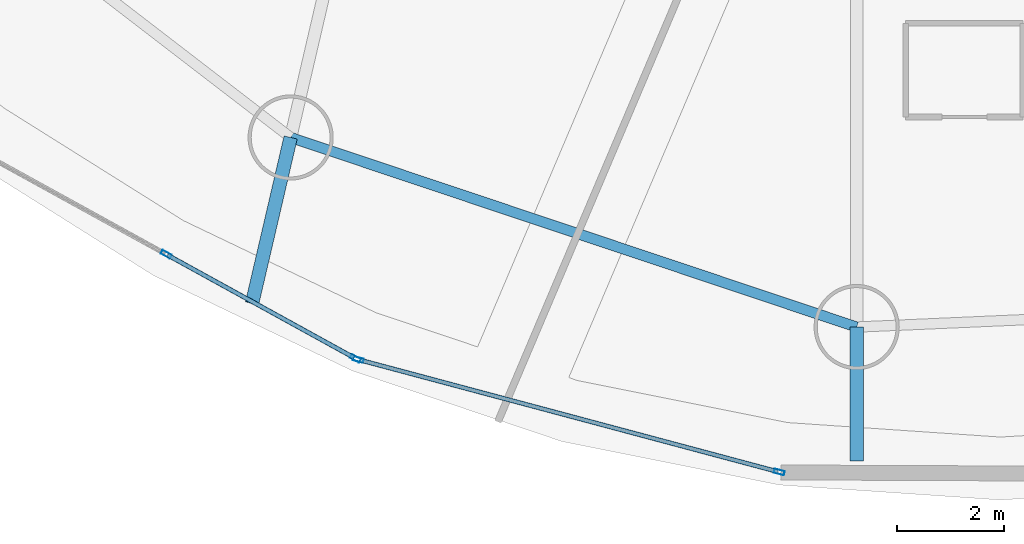
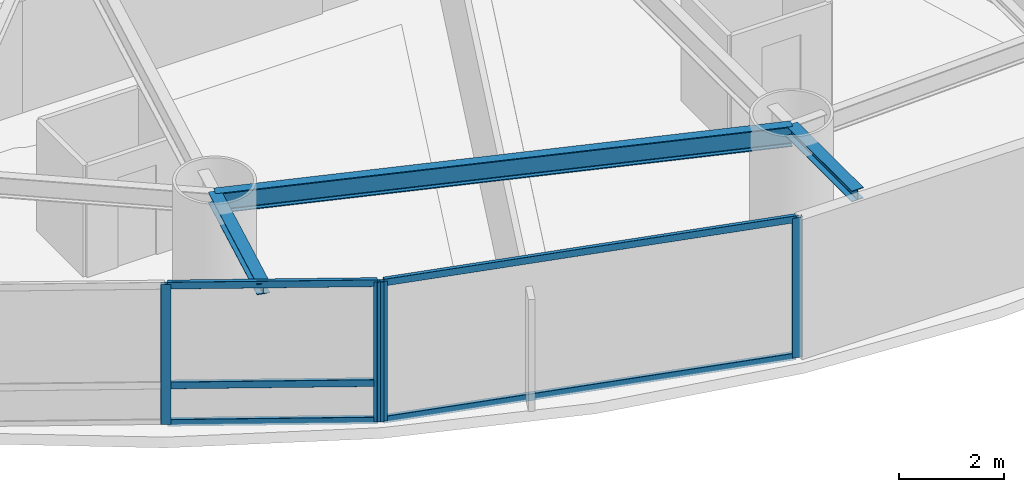
# One storey, part 3 of 23: 9 members, 3 beams, 2 elements without a shape of their own.
"""IFC4 building model written with IfcOpenShell, lengths in metres."""

import ifcopenshell
import ifcopenshell.guid

model = None  # the IFC model being written
_history = None  # IfcOwnerHistory: only IFC2X3 demands one
_inside = {}  # id of a spatial element -> (the spatial element, [elements in it])
_under = {}  # id of a project, library or spatial element -> (it, [spatial elements below it])
_declared = {}  # id of a project -> (the project, [libraries it declares])
_typed = {}  # id of a type object -> (the type object, [elements of that type])
_made_of = {}  # id of a material, layer set ... -> (it, [elements and type objects made of it])


def new_model(schema):
    """Start an empty IFC model of exactly this schema.

    Asked for "IFC4X3", IfcOpenShell would pick the latest addendum, in which some entities
    have other attributes; the version numbers below select the first issue.
    IFC2X3 requires an IfcOwnerHistory on every rooted entity: one is made here for all.
    """
    global model, _history
    if schema == "IFC4X3":
        model = ifcopenshell.file(schema_version=(4, 3, 0, 0))
    else:
        model = ifcopenshell.file(schema=schema)
    _inside.clear()
    _under.clear()
    _declared.clear()
    _typed.clear()
    _made_of.clear()
    _history = None
    if model.schema == "IFC2X3":
        org = make("IfcOrganization", Name="unknown")
        user = make(
            "IfcPersonAndOrganization",
            ThePerson=make("IfcPerson", FamilyName="unknown"),
            TheOrganization=org,
        )
        app = make(
            "IfcApplication",
            ApplicationDeveloper=org,
            Version="unknown",
            ApplicationFullName="unknown",
            ApplicationIdentifier="unknown",
        )
        _history = make(
            "IfcOwnerHistory",
            OwningUser=user,
            OwningApplication=app,
            ChangeAction="ADDED",
            CreationDate=0,
        )
    return model


def make(cls, **values):
    """One entity of the class cls with the attributes given. An attribute that is None is left unset."""
    return model.create_entity(
        cls, **{name: value for name, value in values.items() if value is not None}
    )


def rooted(cls, **values):
    """An entity with a GlobalId (a new one), such as an element, a storey or a relation."""
    return make(cls, GlobalId=ifcopenshell.guid.new(), OwnerHistory=_history, **values)


def si_unit(unit_type, name, prefix=None):
    """IfcSIUnit, for example si_unit("LENGTHUNIT", "METRE", prefix="MILLI")."""
    return make("IfcSIUnit", UnitType=unit_type, Prefix=prefix, Name=name)


def assignment(units):
    """IfcUnitAssignment: the units of a project."""
    return None if units is None else make("IfcUnitAssignment", Units=units)


def point(xyz):
    """IfcCartesianPoint."""
    return None if xyz is None else make("IfcCartesianPoint", Coordinates=xyz)


def direction(xyz):
    """IfcDirection."""
    return None if xyz is None else make("IfcDirection", DirectionRatios=xyz)


def frame(location, z_axis=None, x_axis=None):
    """IfcAxis2Placement3D, a coordinate frame: its origin and axes. An axis left out is left unset."""
    return make(
        "IfcAxis2Placement3D",
        Location=point(location),
        Axis=direction(z_axis),
        RefDirection=direction(x_axis),
    )


def frame_2d(location, x_axis=None):
    """IfcAxis2Placement2D, a coordinate frame in the plane: its origin and x axis."""
    return make(
        "IfcAxis2Placement2D", Location=point(location), RefDirection=direction(x_axis)
    )


def origin():
    """The frame at (0, 0, 0) with its axes left unset."""
    return frame((0.0, 0.0, 0.0))


def origin_2d():
    """The frame at (0, 0) in the plane with its x axis left unset."""
    return frame_2d((0.0, 0.0))


def place(relative_to, where):
    """IfcLocalPlacement: puts the frame where relative to a parent placement (None: the world)."""
    return make(
        "IfcLocalPlacement", PlacementRelTo=relative_to, RelativePlacement=where
    )


def context(
    kind, dimensions, precision=None, world=None, true_north=None, identifier=None
):
    """IfcGeometricRepresentationContext, for example the 3D "Model" context."""
    return make(
        "IfcGeometricRepresentationContext",
        ContextIdentifier=identifier,
        ContextType=kind,
        CoordinateSpaceDimension=dimensions,
        Precision=precision,
        WorldCoordinateSystem=world,
        TrueNorth=true_north,
    )


def subcontext(parent, identifier, kind, view, scale=None):
    """IfcGeometricRepresentationSubContext, for example "Body" below "Model"."""
    return make(
        "IfcGeometricRepresentationSubContext",
        ContextIdentifier=identifier,
        ContextType=kind,
        ParentContext=parent,
        TargetScale=scale,
        TargetView=view,
    )


def project(units=None, contexts=None):
    """IfcProject with its units and contexts."""
    return rooted(
        "IfcProject",
        Name="project",
        RepresentationContexts=contexts,
        UnitsInContext=assignment(units),
    )


def spatial(cls, under=None, at=None, **own):
    """A site, building, storey or space (cls), placed at a placement, below another one or the project."""
    s = rooted(cls, ObjectPlacement=at, **own)
    if under is not None:
        _under.setdefault(under.id(), (under, []))[1].append(s)
    return s


def profile(cls, at=None, kind="AREA", **sizes):
    """A parametric profile (cls). Its sizes go by their IFC names, for example OverallWidth=200.0."""
    return make(cls, ProfileType=kind, Position=at, **sizes)


def hollow_rectangle(**sizes):
    """IfcRectangleHollowProfileDef."""
    return profile("IfcRectangleHollowProfileDef", **sizes)


def i_section(**sizes):
    """IfcIShapeProfileDef."""
    return profile("IfcIShapeProfileDef", **sizes)


def extrude(swept, where, along, depth):
    """IfcExtrudedAreaSolid: the profile swept, set in the frame where, extruded along a direction by depth."""
    return make(
        "IfcExtrudedAreaSolid",
        SweptArea=swept,
        Position=where,
        ExtrudedDirection=direction(along),
        Depth=depth,
    )


def shape(context_of_items, identifier, shape_type, items):
    """IfcShapeRepresentation: the items that make up one representation, for example the "Body"."""
    return make(
        "IfcShapeRepresentation",
        ContextOfItems=context_of_items,
        RepresentationIdentifier=identifier,
        RepresentationType=shape_type,
        Items=items,
    )


def material(Name=None, Category=None):
    """IfcMaterial."""
    return make("IfcMaterial", Name=Name, Category=Category)


def layer(
    of_material, thickness, ventilated=None, Name=None, Category=None, Priority=None
):
    """IfcMaterialLayer: one layer of a wall or slab, of a material (None: an air gap)."""
    return make(
        "IfcMaterialLayer",
        Material=of_material,
        LayerThickness=thickness,
        IsVentilated=ventilated,
        Name=Name,
        Category=Category,
        Priority=Priority,
    )


def layer_set(layers, Name=None):
    """IfcMaterialLayerSet."""
    return make("IfcMaterialLayerSet", MaterialLayers=layers, LayerSetName=Name)


def material_profile(
    of_material, cross_section, Name=None, Category=None, Priority=None
):
    """IfcMaterialProfile: a cross section and its material."""
    return make(
        "IfcMaterialProfile",
        Name=Name,
        Material=of_material,
        Profile=cross_section,
        Priority=Priority,
        Category=Category,
    )


def profile_set(profiles, Name=None, composite=None):
    """IfcMaterialProfileSet."""
    return make(
        "IfcMaterialProfileSet",
        Name=Name,
        MaterialProfiles=profiles,
        CompositeProfile=composite,
    )


def made_of(thing, what):
    """Note that an element or type object is made of a material, layer set ...; save() writes the relation."""
    if what is not None:
        _made_of.setdefault(what.id(), (what, []))[1].append(thing)
    return thing


def type_object(cls, material=None, **own):
    """A type object (cls), such as IfcWallType, which elements share."""
    return made_of(rooted(cls, **own), material)


def element(
    cls,
    number,
    at=None,
    inside=None,
    cuts=None,
    type_object=None,
    material=None,
    context=None,
    identifier="Body",
    shape_type=None,
    held_by="IfcProductDefinitionShape",
    body=None,
    shapes=None,
    **own,
):
    """One element of the class cls, such as IfcWall. Its Tag is "e" and its number.

    at: its placement. inside: the storey or other place that contains it. cuts: it is an
    opening in that element (IfcRelVoidsElement). A single representation is given by context,
    identifier, shape_type and body (its items); several are given by shapes. held_by: the class
    of the entity that holds the representations. save() writes the other relations.
    """
    e = rooted(cls, Tag="e%d" % number, ObjectPlacement=at, **own)
    if body is not None:
        shapes = [shape(context, identifier, shape_type, body)]
    if shapes is not None:
        e.Representation = make(held_by, Representations=shapes)
    if inside is not None:
        _inside.setdefault(inside.id(), (inside, []))[1].append(e)
    if cuts is not None:
        rooted(
            "IfcRelVoidsElement", RelatingBuildingElement=cuts, RelatedOpeningElement=e
        )
    if type_object is not None:
        _typed.setdefault(type_object.id(), (type_object, []))[1].append(e)
    return made_of(e, material)


def aggregate(whole, parts):
    """IfcRelAggregates: a whole, such as a stair, and the parts it consists of."""
    return rooted("IfcRelAggregates", RelatingObject=whole, RelatedObjects=parts)


def save(model, path):
    """Write the relations noted so far, then the file.

    IfcRelAggregates (storeys below a building ...), IfcRelContainedInSpatialStructure (elements
    in a storey), IfcRelDefinesByType, IfcRelAssociatesMaterial and IfcRelDeclares: one each for
    every whole, place, type object, material and project.
    """
    for whole, parts in _under.values():
        aggregate(whole, parts)
    for where, things in _inside.values():
        rooted(
            "IfcRelContainedInSpatialStructure",
            RelatedElements=things,
            RelatingStructure=where,
        )
    for kind, things in _typed.values():
        rooted("IfcRelDefinesByType", RelatedObjects=things, RelatingType=kind)
    for what, things in _made_of.values():
        rooted("IfcRelAssociatesMaterial", RelatedObjects=things, RelatingMaterial=what)
    for by, libraries in _declared.values():
        rooted("IfcRelDeclares", RelatingContext=by, RelatedDefinitions=libraries)
    model.write(path)


model = new_model("IFC4")

# Units and contexts
model_context = context("Model", 3, precision=1e-05, world=origin(), true_north=direction((0.0, 1.0)))
body_context = subcontext(model_context, "Body", "Model", "MODEL_VIEW")
ifc_project = project(units=[si_unit("LENGTHUNIT", "METRE"), si_unit("AREAUNIT", "SQUARE_METRE"), si_unit("VOLUMEUNIT", "CUBIC_METRE"), si_unit("PLANEANGLEUNIT", "RADIAN"), si_unit("MASSUNIT", "GRAM", prefix="KILO")], contexts=[model_context])

# Site, building, storey
site_placement = place(None, origin())
site = spatial("IfcSite", under=ifc_project, at=site_placement, CompositionType="ELEMENT")
building_placement = place(site_placement, origin())
building = spatial("IfcBuilding", under=site, at=building_placement, Name="Bramvorn Convention Spire", CompositionType="ELEMENT")
storey_placement = place(building_placement, frame((0.0, 0.0, 65.89990234375)))
storey = spatial("IfcBuildingStorey", under=building, at=storey_placement, Name="L14", CompositionType="ELEMENT", Elevation=65.89990234375)

# Beams
ifc_material_1 = material(Name="Steel CSA G40.21 Grade 350 (350W)", Category="steel")
ifc_material_profile_1 = material_profile(ifc_material_1, i_section(OverallWidth=0.25390625, OverallDepth=0.2529296875, WebThickness=0.008544921875, FlangeThickness=0.01416015625, FilletRadius=0.011962890625, at=origin_2d()))
ifc_profile_set_1 = profile_set([ifc_material_profile_1], Name="Steel CSA G40.21 Grade 350 (350W) - W250X73")
beam_type_1 = type_object("IfcBeamType", Name="BM-W250X73", PredefinedType="BEAM", material=ifc_profile_set_1)
beam_1_placement = place(storey_placement, frame((24.40966796875, 8.490966796875, 3.12353515625), z_axis=(-0.226597657663, -0.973988450415, 0.0), x_axis=(0.973988450415, -0.226597657663, 0.0)))
element("IfcBeam", 1, at=beam_1_placement, inside=storey, type_object=beam_type_1, Name="L14 slab-edge cantilever tip beam MC12", PredefinedType="BEAM", context=body_context, shape_type="SweptSolid", body=[
    extrude(i_section(OverallWidth=0.25390625, OverallDepth=0.2529296875, WebThickness=0.008544921875, FlangeThickness=0.01416015625, FilletRadius=0.011962890625, at=origin_2d()), origin(), (0.0, 0.0, 1.0), 3.199951171875),
])
beam_2_placement = place(storey_placement, frame((35.0390625, 4.93115234375, 3.12353515625), z_axis=(0.0, -1.0, 0.0), x_axis=(1.0, 0.0, 0.0)))
element("IfcBeam", 2, at=beam_2_placement, inside=storey, type_object=beam_type_1, Name="L14 slab-edge cantilever tip beam MC13", PredefinedType="BEAM", context=body_context, shape_type="SweptSolid", body=[
    extrude(i_section(OverallWidth=0.25390625, OverallDepth=0.2529296875, WebThickness=0.008544921875, FlangeThickness=0.01416015625, FilletRadius=0.011962890625, at=origin_2d()), origin(), (0.0, 0.0, 1.0), 2.515625),
])
ifc_material_profile_2 = material_profile(ifc_material_1, i_section(OverallWidth=0.194091796875, OverallDepth=0.468994140625, WebThickness=0.0126953125, FlangeThickness=0.0205078125, FilletRadius=0.01806640625, at=origin_2d()))
ifc_profile_set_2 = profile_set([ifc_material_profile_2], Name="Steel CSA G40.21 Grade 350 (350W) - W460X106")
beam_type_2 = type_object("IfcBeamType", Name="BM-W460X106", PredefinedType="SPANDREL", material=ifc_profile_set_2)
beam_3_placement = place(storey_placement, frame((24.40966796875, 8.490966796875, 3.015625), z_axis=(0.948235872727, -0.317566890078, 0.0), x_axis=(0.317566890078, 0.948235872727, 0.0)))
element("IfcBeam", 3, at=beam_3_placement, inside=storey, type_object=beam_type_2, Name="L14 mega-column ring beam 12", PredefinedType="SPANDREL", context=body_context, shape_type="SweptSolid", body=[
    extrude(i_section(OverallWidth=0.194091796875, OverallDepth=0.468994140625, WebThickness=0.0126953125, FlangeThickness=0.0205078125, FilletRadius=0.01806640625, at=origin_2d()), origin(), (0.0, 0.0, 1.0), 11.209716796875),
])

# Curtain wall, members
ifc_material_2 = material(Name="Anodised Bronze Unitised Curtain Wall", Category="aluminium")
ifc_layer = layer(ifc_material_2, 0.179931640625)
ifc_layer_set = layer_set([ifc_layer], Name="Anodised Bronze Unitised Curtain Wall - CW-HTL-FRIT")
curtain_wall_type = type_object("IfcCurtainWallType", Name="CW-HTL-FRIT", PredefinedType="USERDEFINED", material=ifc_layer_set)
curtain_wall_1_placement = place(storey_placement, origin())
curtain_wall_1 = element("IfcCurtainWall", 4, at=curtain_wall_1_placement, inside=storey, type_object=curtain_wall_type, Name="L14 fritted glass curtain wall 17", ObjectType="UNITISED CURTAIN WALL", PredefinedType="USERDEFINED")
ifc_material_3 = material(Name="Anodised Bronze Aluminium 6063-T6", Category="aluminium")
ifc_material_profile_3 = material_profile(ifc_material_3, hollow_rectangle(XDim=0.080078125, YDim=0.199951171875, WallThickness=0.00390625, InnerFilletRadius=0.0009765625, OuterFilletRadius=0.00390625, at=origin_2d()))
ifc_profile_set_3 = profile_set([ifc_material_profile_3], Name="Anodised Bronze Aluminium 6063-T6 - CWM80X200")
member_type_1 = type_object("IfcMemberType", Name="CW-MUL-180", PredefinedType="MULLION", material=ifc_profile_set_3)
member_1_placement = place(storey_placement, frame((25.62548828125, 4.342041015625, 0.0), z_axis=(0.0, 0.0, 1.0), x_axis=(-0.482156929091, -0.876084867881, 0.0)))
member_1 = element("IfcMember", 5, at=member_1_placement, type_object=member_type_1, Name="CW2 mullion 1", PredefinedType="MULLION", context=body_context, shape_type="SweptSolid", body=[
    extrude(hollow_rectangle(XDim=0.080078125, YDim=0.199951171875, WallThickness=0.00390625, InnerFilletRadius=0.0009765625, OuterFilletRadius=0.00390625, at=origin_2d()), origin(), (0.0, 0.0, 1.0), 3.25),
])
member_2_placement = place(storey_placement, frame((22.072509765625, 6.29736328125, 0.0), z_axis=(0.0, 0.0, 1.0), x_axis=(-0.482156929091, -0.876084867881, 0.0)))
member_2 = element("IfcMember", 6, at=member_2_placement, type_object=member_type_1, Name="CW2 mullion 2", PredefinedType="MULLION", context=body_context, shape_type="SweptSolid", body=[
    extrude(hollow_rectangle(XDim=0.080078125, YDim=0.199951171875, WallThickness=0.00390625, InnerFilletRadius=0.0009765625, OuterFilletRadius=0.00390625, at=origin_2d()), origin(), (0.0, 0.0, 1.0), 3.25),
])

curtain_wall_2_placement = place(storey_placement, origin())
curtain_wall_2 = element("IfcCurtainWall", 7, at=curtain_wall_2_placement, inside=storey, type_object=curtain_wall_type, Name="L14 fritted glass curtain wall 18", ObjectType="UNITISED CURTAIN WALL", PredefinedType="USERDEFINED")
member_3_placement = place(storey_placement, frame((33.5849609375, 2.208251953125, 0.0), z_axis=(0.0, 0.0, 1.0), x_axis=(-0.258087058833, -0.966121664214, 0.0)))
member_3 = element("IfcMember", 8, at=member_3_placement, type_object=member_type_1, Name="CW2 mullion 1", PredefinedType="MULLION", context=body_context, shape_type="SweptSolid", body=[
    extrude(hollow_rectangle(XDim=0.080078125, YDim=0.199951171875, WallThickness=0.00390625, InnerFilletRadius=0.0009765625, OuterFilletRadius=0.00390625, at=origin_2d()), origin(), (0.0, 0.0, 1.0), 3.25),
])
member_4_placement = place(storey_placement, frame((25.6806640625, 4.31982421875, 0.0), z_axis=(0.0, 0.0, 1.0), x_axis=(-0.258087058833, -0.966121664214, 0.0)))
member_4 = element("IfcMember", 9, at=member_4_placement, type_object=member_type_1, Name="CW2 mullion 2", PredefinedType="MULLION", context=body_context, shape_type="SweptSolid", body=[
    extrude(hollow_rectangle(XDim=0.080078125, YDim=0.199951171875, WallThickness=0.00390625, InnerFilletRadius=0.0009765625, OuterFilletRadius=0.00390625, at=origin_2d()), origin(), (0.0, 0.0, 1.0), 3.25),
])

# Member
ifc_material_profile_4 = material_profile(ifc_material_3, hollow_rectangle(XDim=0.080078125, YDim=0.159912109375, WallThickness=0.00390625, InnerFilletRadius=0.0009765625, OuterFilletRadius=0.00390625, at=origin_2d()))
ifc_profile_set_4 = profile_set([ifc_material_profile_4], Name="Anodised Bronze Aluminium 6063-T6 - CWT80X160")
member_type_2 = type_object("IfcMemberType", Name="CW-TRN-150", PredefinedType="USERDEFINED", material=ifc_profile_set_4)
member_5_placement = place(storey_placement, frame((25.59912109375, 4.3564453125, 0.030029296875), z_axis=(-0.876070083205, 0.482183792047, 0.0), x_axis=(-0.482183792047, -0.876070083205, 0.0)))
member_5 = element("IfcMember", 10, at=member_5_placement, type_object=member_type_2, Name="CW2 transom 1.1", ObjectType="TRANSOM", PredefinedType="USERDEFINED", context=body_context, shape_type="SweptSolid", body=[
    extrude(hollow_rectangle(XDim=0.080078125, YDim=0.159912109375, WallThickness=0.00390625, InnerFilletRadius=0.0009765625, OuterFilletRadius=0.00390625, at=origin_2d()), origin(), (0.0, 0.0, 1.0), 3.995361328125),
])

member_6_placement = place(storey_placement, frame((25.59912109375, 4.3564453125, 0.900146484375), z_axis=(-0.876070083205, 0.482183792047, 0.0), x_axis=(-0.482183792047, -0.876070083205, 0.0)))
member_6 = element("IfcMember", 11, at=member_6_placement, type_object=member_type_2, Name="CW2 transom 1.2", ObjectType="TRANSOM", PredefinedType="USERDEFINED", context=body_context, shape_type="SweptSolid", body=[
    extrude(hollow_rectangle(XDim=0.080078125, YDim=0.159912109375, WallThickness=0.00390625, InnerFilletRadius=0.0009765625, OuterFilletRadius=0.00390625, at=origin_2d()), origin(), (0.0, 0.0, 1.0), 3.995361328125),
])

member_7_placement = place(storey_placement, frame((25.59912109375, 4.3564453125, 3.22021484375), z_axis=(-0.876070083205, 0.482183792047, 0.0), x_axis=(-0.482183792047, -0.876070083205, 0.0)))
member_7 = element("IfcMember", 12, at=member_7_placement, type_object=member_type_2, Name="CW2 transom 1.3", ObjectType="TRANSOM", PredefinedType="USERDEFINED", context=body_context, shape_type="SweptSolid", body=[
    extrude(hollow_rectangle(XDim=0.080078125, YDim=0.159912109375, WallThickness=0.00390625, InnerFilletRadius=0.0009765625, OuterFilletRadius=0.00390625, at=origin_2d()), origin(), (0.0, 0.0, 1.0), 3.995361328125),
])

aggregate(curtain_wall_1, [member_1, member_2, member_5, member_6, member_7])

member_8_placement = place(storey_placement, frame((33.555908203125, 2.216064453125, 0.030029296875), z_axis=(-0.966123583724, 0.258079873243, 0.0), x_axis=(-0.258079873243, -0.966123583724, 0.0)))
member_8 = element("IfcMember", 13, at=member_8_placement, type_object=member_type_2, Name="CW2 transom 1.1", ObjectType="TRANSOM", PredefinedType="USERDEFINED", context=body_context, shape_type="SweptSolid", body=[
    extrude(hollow_rectangle(XDim=0.080078125, YDim=0.159912109375, WallThickness=0.00390625, InnerFilletRadius=0.0009765625, OuterFilletRadius=0.00390625, at=origin_2d()), origin(), (0.0, 0.0, 1.0), 8.121337890625),
])

member_9_placement = place(storey_placement, frame((33.555908203125, 2.216064453125, 3.22021484375), z_axis=(-0.966123583724, 0.258079873243, 0.0), x_axis=(-0.258079873243, -0.966123583724, 0.0)))
member_9 = element("IfcMember", 14, at=member_9_placement, type_object=member_type_2, Name="CW2 transom 1.2", ObjectType="TRANSOM", PredefinedType="USERDEFINED", context=body_context, shape_type="SweptSolid", body=[
    extrude(hollow_rectangle(XDim=0.080078125, YDim=0.159912109375, WallThickness=0.00390625, InnerFilletRadius=0.0009765625, OuterFilletRadius=0.00390625, at=origin_2d()), origin(), (0.0, 0.0, 1.0), 8.121337890625),
])

aggregate(curtain_wall_2, [member_3, member_4, member_8, member_9])

save(model, "model.ifc")
